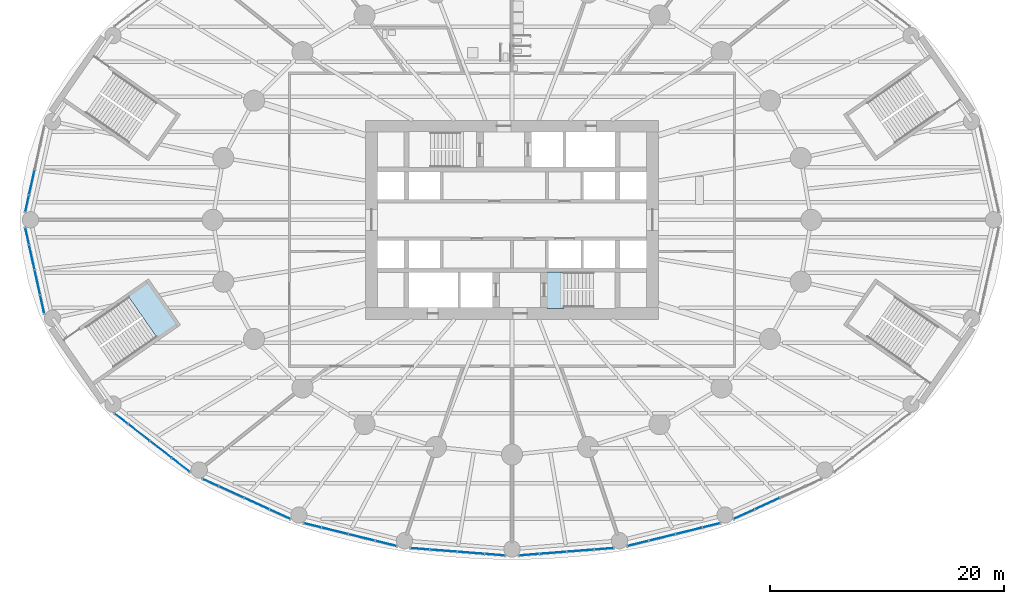
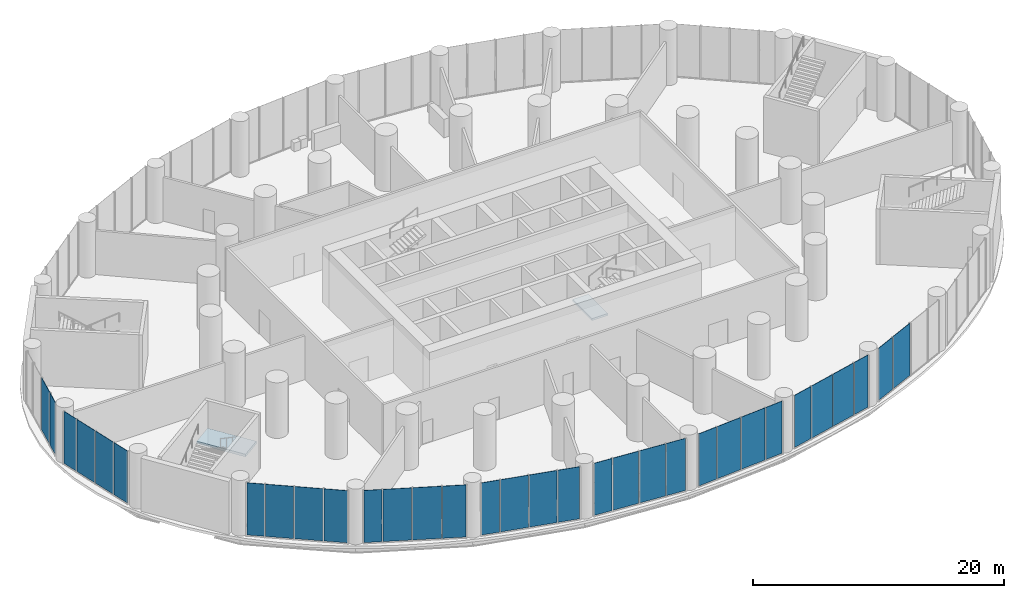
# One storey, part 13 of 23: 32 plates, 2 slabs, 11 elements without a shape of their own.
"""IFC4 building model written with IfcOpenShell, lengths in metres."""

from ifc_helpers import new_model, si_unit, direction, frame, origin, origin_2d, place, context, subcontext, project, spatial, polyline, rectangle, outline, extrude, material, layer, layer_set, type_object, element, aggregate, save


model = new_model("IFC4")

# Units and contexts
model_context = context("Model", 3, precision=1e-05, world=origin(), true_north=direction((0.0, 1.0)))
body_context = subcontext(model_context, "Body", "Model", "MODEL_VIEW")
ifc_project = project(units=[si_unit("LENGTHUNIT", "METRE"), si_unit("AREAUNIT", "SQUARE_METRE"), si_unit("VOLUMEUNIT", "CUBIC_METRE"), si_unit("PLANEANGLEUNIT", "RADIAN"), si_unit("MASSUNIT", "GRAM", prefix="KILO")], contexts=[model_context])

# Site, building, storey
site_placement = place(None, origin())
site = spatial("IfcSite", under=ifc_project, at=site_placement, CompositionType="ELEMENT")
building_placement = place(site_placement, origin())
building = spatial("IfcBuilding", under=site, at=building_placement, Name="Hankou Lantern Tower", CompositionType="ELEMENT")
storey_placement = place(building_placement, frame((0.0, 0.0, 19.199951171875)))
storey = spatial("IfcBuildingStorey", under=building, at=storey_placement, Name="L03", CompositionType="ELEMENT", Elevation=19.199951171875)

# Curtain wall, plates
ifc_material_1 = material(Name="Glass, dark grey tinted laminated", Category="glass")
curtain_wall_type = type_object("IfcCurtainWallType", Name="CWP PODIUM CURTAIN WALL", PredefinedType="USERDEFINED", material=ifc_material_1)
curtain_wall_1_placement = place(storey_placement, origin())
curtain_wall_1 = element("IfcCurtainWall", 1, at=curtain_wall_1_placement, inside=storey, type_object=curtain_wall_type, Name="CWP L03 PC09", ObjectType="PODIUM GLAZING", PredefinedType="USERDEFINED")
ifc_material_2 = material(Name="Glass, dark grey tinted laminated", Category="glass")
ifc_layer_1 = layer(ifc_material_2, 0.037109375)
ifc_layer_set_1 = layer_set([ifc_layer_1], Name="Glass, dark grey tinted laminated")
plate_type = type_object("IfcPlateType", Name="PN2 PODIUM GLASS PANEL", PredefinedType="CURTAIN_PANEL", material=ifc_layer_set_1)
plate_1_placement = place(storey_placement, frame((-40.99267578125, 3.200439453125, 0.080078125), z_axis=(0.0, 0.0, 1.0), x_axis=(-0.215821488116, -0.976432837049, 0.0)))
plate_1 = element("IfcPlate", 2, at=plate_1_placement, type_object=plate_type, Name="CWP glass panel 3", PredefinedType="CURTAIN_PANEL", context=body_context, shape_type="SweptSolid", body=[
    extrude(rectangle(XDim=2.105224609375, YDim=0.031982421875, at=origin_2d()), origin(), (0.0, 0.0, 1.0), 5.070068359375),
])
plate_2_placement = place(storey_placement, frame((-41.391357421875, 1.396484375, 0.080078125), z_axis=(0.0, 0.0, 1.0), x_axis=(-0.215821488116, -0.976432837049, 0.0)))
plate_2 = element("IfcPlate", 3, at=plate_2_placement, type_object=plate_type, Name="CWP glass panel 4", PredefinedType="CURTAIN_PANEL", context=body_context, shape_type="SweptSolid", body=[
    extrude(rectangle(XDim=1.4296875, YDim=0.031982421875, at=origin_2d()), origin(), (0.0, 0.0, 1.0), 5.070068359375),
])
aggregate(curtain_wall_1, [plate_1, plate_2])

curtain_wall_2_placement = place(storey_placement, origin())
curtain_wall_2 = element("IfcCurtainWall", 4, at=curtain_wall_2_placement, inside=storey, type_object=curtain_wall_type, Name="CWP L03 PC10", ObjectType="PODIUM GLAZING", PredefinedType="USERDEFINED")
plate_3_placement = place(storey_placement, frame((-41.391357421875, -1.396484375, 0.080078125), z_axis=(0.0, 0.0, 1.0), x_axis=(0.215821488116, -0.976432837049, 0.0)))
plate_3 = element("IfcPlate", 5, at=plate_3_placement, type_object=plate_type, Name="CWP glass panel 1", PredefinedType="CURTAIN_PANEL", context=body_context, shape_type="SweptSolid", body=[
    extrude(rectangle(XDim=1.4296875, YDim=0.031982421875, at=origin_2d()), origin(), (0.0, 0.0, 1.0), 5.070068359375),
])
plate_4_placement = place(storey_placement, frame((-40.99267578125, -3.200439453125, 0.080078125), z_axis=(0.0, 0.0, 1.0), x_axis=(0.215821488116, -0.976432837049, 0.0)))
plate_4 = element("IfcPlate", 6, at=plate_4_placement, type_object=plate_type, Name="CWP glass panel 2", PredefinedType="CURTAIN_PANEL", context=body_context, shape_type="SweptSolid", body=[
    extrude(rectangle(XDim=2.105224609375, YDim=0.031982421875, at=origin_2d()), origin(), (0.0, 0.0, 1.0), 5.070068359375),
])
plate_5_placement = place(storey_placement, frame((-40.52099609375, -5.333984375, 0.080078125), z_axis=(0.0, 0.0, 1.0), x_axis=(0.215821488116, -0.976432837049, 0.0)))
plate_5 = element("IfcPlate", 7, at=plate_5_placement, type_object=plate_type, Name="CWP glass panel 3", PredefinedType="CURTAIN_PANEL", context=body_context, shape_type="SweptSolid", body=[
    extrude(rectangle(XDim=2.105224609375, YDim=0.031982421875, at=origin_2d()), origin(), (0.0, 0.0, 1.0), 5.070068359375),
])
plate_6_placement = place(storey_placement, frame((-40.105224609375, -7.214599609375, 0.080078125), z_axis=(0.0, 0.0, 1.0), x_axis=(0.215821488116, -0.976432837049, 0.0)))
plate_6 = element("IfcPlate", 8, at=plate_6_placement, type_object=plate_type, Name="CWP glass panel 4", PredefinedType="CURTAIN_PANEL", context=body_context, shape_type="SweptSolid", body=[
    extrude(rectangle(XDim=1.5869140625, YDim=0.031982421875, at=origin_2d()), origin(), (0.0, 0.0, 1.0), 5.070068359375),
])
aggregate(curtain_wall_2, [plate_3, plate_4, plate_5, plate_6])

curtain_wall_3_placement = place(storey_placement, origin())
curtain_wall_3 = element("IfcCurtainWall", 9, at=curtain_wall_3_placement, inside=storey, type_object=curtain_wall_type, Name="CWP L03 PC11", ObjectType="PODIUM GLAZING", PredefinedType="USERDEFINED")
plate_7_placement = place(storey_placement, frame((-33.356689453125, -16.977294921875, 0.080078125), z_axis=(0.0, 0.0, 1.0), x_axis=(0.790129760642, -0.612939606608, 0.0)))
plate_7 = element("IfcPlate", 10, at=plate_7_placement, type_object=plate_type, Name="CWP glass panel 1", PredefinedType="CURTAIN_PANEL", context=body_context, shape_type="SweptSolid", body=[
    extrude(rectangle(XDim=1.409423828125, YDim=0.031982421875, at=origin_2d()), origin(), (0.0, 0.0, 1.0), 5.070068359375),
])
plate_8_placement = place(storey_placement, frame((-31.83935546875, -18.154296875, 0.080078125), z_axis=(0.0, 0.0, 1.0), x_axis=(0.790129760642, -0.612939606608, 0.0)))
plate_8 = element("IfcPlate", 11, at=plate_8_placement, type_object=plate_type, Name="CWP glass panel 2", PredefinedType="CURTAIN_PANEL", context=body_context, shape_type="SweptSolid", body=[
    extrude(rectangle(XDim=2.270751953125, YDim=0.031982421875, at=origin_2d()), origin(), (0.0, 0.0, 1.0), 5.070068359375),
])
plate_9_placement = place(storey_placement, frame((-29.98193359375, -19.59521484375, 0.080078125), z_axis=(0.0, 0.0, 1.0), x_axis=(0.790129760642, -0.612939606608, 0.0)))
plate_9 = element("IfcPlate", 12, at=plate_9_placement, type_object=plate_type, Name="CWP glass panel 3", PredefinedType="CURTAIN_PANEL", context=body_context, shape_type="SweptSolid", body=[
    extrude(rectangle(XDim=2.270751953125, YDim=0.031982421875, at=origin_2d()), origin(), (0.0, 0.0, 1.0), 5.070068359375),
])
plate_10_placement = place(storey_placement, frame((-28.27001953125, -20.923095703125, 0.080078125), z_axis=(0.0, 0.0, 1.0), x_axis=(0.790129760642, -0.612939606608, 0.0)))
plate_10 = element("IfcPlate", 13, at=plate_10_placement, type_object=plate_type, Name="CWP glass panel 4", PredefinedType="CURTAIN_PANEL", context=body_context, shape_type="SweptSolid", body=[
    extrude(rectangle(XDim=1.90234375, YDim=0.031982421875, at=origin_2d()), origin(), (0.0, 0.0, 1.0), 5.070068359375),
])
aggregate(curtain_wall_3, [plate_7, plate_8, plate_9, plate_10])

curtain_wall_4_placement = place(storey_placement, origin())
curtain_wall_4 = element("IfcCurtainWall", 14, at=curtain_wall_4_placement, inside=storey, type_object=curtain_wall_type, Name="CWP L03 PC12", ObjectType="PODIUM GLAZING", PredefinedType="USERDEFINED")
plate_11_placement = place(storey_placement, frame((-25.72802734375, -22.4267578125, 0.080078125), z_axis=(0.0, 0.0, 1.0), x_axis=(0.909669790944, -0.41533224224, 0.0)))
plate_11 = element("IfcPlate", 15, at=plate_11_placement, type_object=plate_type, Name="CWP glass panel 1", PredefinedType="CURTAIN_PANEL", context=body_context, shape_type="SweptSolid", body=[
    extrude(rectangle(XDim=1.445068359375, YDim=0.031982421875, at=origin_2d()), origin(), (0.0, 0.0, 1.0), 5.070068359375),
])
plate_12_placement = place(storey_placement, frame((-23.95361328125, -23.23681640625, 0.080078125), z_axis=(0.0, 0.0, 1.0), x_axis=(0.909669790944, -0.41533224224, 0.0)))
plate_12 = element("IfcPlate", 16, at=plate_12_placement, type_object=plate_type, Name="CWP glass panel 2", PredefinedType="CURTAIN_PANEL", context=body_context, shape_type="SweptSolid", body=[
    extrude(rectangle(XDim=2.2958984375, YDim=0.031982421875, at=origin_2d()), origin(), (0.0, 0.0, 1.0), 5.070068359375),
])
plate_13_placement = place(storey_placement, frame((-21.792236328125, -24.2236328125, 0.080078125), z_axis=(0.0, 0.0, 1.0), x_axis=(0.909669790944, -0.41533224224, 0.0)))
plate_13 = element("IfcPlate", 17, at=plate_13_placement, type_object=plate_type, Name="CWP glass panel 3", PredefinedType="CURTAIN_PANEL", context=body_context, shape_type="SweptSolid", body=[
    extrude(rectangle(XDim=2.2958984375, YDim=0.031982421875, at=origin_2d()), origin(), (0.0, 0.0, 1.0), 5.070068359375),
])
plate_14_placement = place(storey_placement, frame((-19.812744140625, -25.12744140625, 0.080078125), z_axis=(0.0, 0.0, 1.0), x_axis=(0.909669790944, -0.41533224224, 0.0)))
plate_14 = element("IfcPlate", 18, at=plate_14_placement, type_object=plate_type, Name="CWP glass panel 4", PredefinedType="CURTAIN_PANEL", context=body_context, shape_type="SweptSolid", body=[
    extrude(rectangle(XDim=1.896240234375, YDim=0.031982421875, at=origin_2d()), origin(), (0.0, 0.0, 1.0), 5.070068359375),
])
aggregate(curtain_wall_4, [plate_11, plate_12, plate_13, plate_14])

curtain_wall_5_placement = place(storey_placement, origin())
curtain_wall_5 = element("IfcCurtainWall", 19, at=curtain_wall_5_placement, inside=storey, type_object=curtain_wall_type, Name="CWP L03 PC13", ObjectType="PODIUM GLAZING", PredefinedType="USERDEFINED")
plate_15_placement = place(storey_placement, frame((-17.02001953125, -26.080810546875, 0.080078125), z_axis=(0.0, 0.0, 1.0), x_axis=(0.970960955091, -0.239238006364, 0.0)))
plate_15 = element("IfcPlate", 20, at=plate_15_placement, type_object=plate_type, Name="CWP glass panel 1", PredefinedType="CURTAIN_PANEL", context=body_context, shape_type="SweptSolid", body=[
    extrude(rectangle(XDim=1.497314453125, YDim=0.031982421875, at=origin_2d()), origin(), (0.0, 0.0, 1.0), 5.070068359375),
])
plate_16_placement = place(storey_placement, frame((-15.1064453125, -26.552490234375, 0.080078125), z_axis=(0.0, 0.0, 1.0), x_axis=(0.970960955091, -0.239238006364, 0.0)))
plate_16 = element("IfcPlate", 21, at=plate_16_placement, type_object=plate_type, Name="CWP glass panel 2", PredefinedType="CURTAIN_PANEL", context=body_context, shape_type="SweptSolid", body=[
    extrude(rectangle(XDim=2.284423828125, YDim=0.031982421875, at=origin_2d()), origin(), (0.0, 0.0, 1.0), 5.070068359375),
])
plate_17_placement = place(storey_placement, frame((-12.810791015625, -27.1181640625, 0.080078125), z_axis=(0.0, 0.0, 1.0), x_axis=(0.970960955091, -0.239238006364, 0.0)))
plate_17 = element("IfcPlate", 22, at=plate_17_placement, type_object=plate_type, Name="CWP glass panel 3", PredefinedType="CURTAIN_PANEL", context=body_context, shape_type="SweptSolid", body=[
    extrude(rectangle(XDim=2.284423828125, YDim=0.031982421875, at=origin_2d()), origin(), (0.0, 0.0, 1.0), 5.070068359375),
])
plate_18_placement = place(storey_placement, frame((-10.74658203125, -27.626708984375, 0.080078125), z_axis=(0.0, 0.0, 1.0), x_axis=(0.970960955091, -0.239238006364, 0.0)))
plate_18 = element("IfcPlate", 23, at=plate_18_placement, type_object=plate_type, Name="CWP glass panel 4", PredefinedType="CURTAIN_PANEL", context=body_context, shape_type="SweptSolid", body=[
    extrude(rectangle(XDim=1.80712890625, YDim=0.031982421875, at=origin_2d()), origin(), (0.0, 0.0, 1.0), 5.070068359375),
])
aggregate(curtain_wall_5, [plate_15, plate_16, plate_17, plate_18])

curtain_wall_6_placement = place(storey_placement, origin())
curtain_wall_6 = element("IfcCurtainWall", 24, at=curtain_wall_6_placement, inside=storey, type_object=curtain_wall_type, Name="CWP L03 PC14", ObjectType="PODIUM GLAZING", PredefinedType="USERDEFINED")
plate_19_placement = place(storey_placement, frame((-7.85205078125, -28.085205078125, 0.080078125), z_axis=(0.0, 0.0, 1.0), x_axis=(0.996948515213, -0.078061885796, 0.0)))
plate_19 = element("IfcPlate", 25, at=plate_19_placement, type_object=plate_type, Name="CWP glass panel 1", PredefinedType="CURTAIN_PANEL", context=body_context, shape_type="SweptSolid", body=[
    extrude(rectangle(XDim=1.57861328125, YDim=0.031982421875, at=origin_2d()), origin(), (0.0, 0.0, 1.0), 5.070068359375),
])
plate_20_placement = place(storey_placement, frame((-5.8544921875, -28.24169921875, 0.080078125), z_axis=(0.0, 0.0, 1.0), x_axis=(0.996948515213, -0.078061885796, 0.0)))
plate_20 = element("IfcPlate", 26, at=plate_20_placement, type_object=plate_type, Name="CWP glass panel 2", PredefinedType="CURTAIN_PANEL", context=body_context, shape_type="SweptSolid", body=[
    extrude(rectangle(XDim=2.26904296875, YDim=0.031982421875, at=origin_2d()), origin(), (0.0, 0.0, 1.0), 5.070068359375),
])
plate_21_placement = place(storey_placement, frame((-3.5126953125, -28.425048828125, 0.080078125), z_axis=(0.0, 0.0, 1.0), x_axis=(0.996948515213, -0.078061885796, 0.0)))
plate_21 = element("IfcPlate", 27, at=plate_21_placement, type_object=plate_type, Name="CWP glass panel 3", PredefinedType="CURTAIN_PANEL", context=body_context, shape_type="SweptSolid", body=[
    extrude(rectangle(XDim=2.26904296875, YDim=0.031982421875, at=origin_2d()), origin(), (0.0, 0.0, 1.0), 5.070068359375),
])
plate_22_placement = place(storey_placement, frame((-1.460205078125, -28.585693359375, 0.080078125), z_axis=(0.0, 0.0, 1.0), x_axis=(0.996948515213, -0.078061885796, 0.0)))
plate_22 = element("IfcPlate", 28, at=plate_22_placement, type_object=plate_type, Name="CWP glass panel 4", PredefinedType="CURTAIN_PANEL", context=body_context, shape_type="SweptSolid", body=[
    extrude(rectangle(XDim=1.688232421875, YDim=0.031982421875, at=origin_2d()), origin(), (0.0, 0.0, 1.0), 5.070068359375),
])
aggregate(curtain_wall_6, [plate_19, plate_20, plate_21, plate_22])

curtain_wall_7_placement = place(storey_placement, origin())
curtain_wall_7 = element("IfcCurtainWall", 29, at=curtain_wall_7_placement, inside=storey, type_object=curtain_wall_type, Name="CWP L03 PC15", ObjectType="PODIUM GLAZING", PredefinedType="USERDEFINED")
plate_23_placement = place(storey_placement, frame((1.460205078125, -28.585693359375, 0.080078125), z_axis=(0.0, 0.0, 1.0), x_axis=(0.996948515213, 0.078061885796, 0.0)))
plate_23 = element("IfcPlate", 30, at=plate_23_placement, type_object=plate_type, Name="CWP glass panel 1", PredefinedType="CURTAIN_PANEL", context=body_context, shape_type="SweptSolid", body=[
    extrude(rectangle(XDim=1.688232421875, YDim=0.031982421875, at=origin_2d()), origin(), (0.0, 0.0, 1.0), 5.070068359375),
])
plate_24_placement = place(storey_placement, frame((3.5126953125, -28.425048828125, 0.080078125), z_axis=(0.0, 0.0, 1.0), x_axis=(0.996948515213, 0.078061885796, 0.0)))
plate_24 = element("IfcPlate", 31, at=plate_24_placement, type_object=plate_type, Name="CWP glass panel 2", PredefinedType="CURTAIN_PANEL", context=body_context, shape_type="SweptSolid", body=[
    extrude(rectangle(XDim=2.26904296875, YDim=0.031982421875, at=origin_2d()), origin(), (0.0, 0.0, 1.0), 5.070068359375),
])
plate_25_placement = place(storey_placement, frame((5.8544921875, -28.24169921875, 0.080078125), z_axis=(0.0, 0.0, 1.0), x_axis=(0.996948515213, 0.078061885796, 0.0)))
plate_25 = element("IfcPlate", 32, at=plate_25_placement, type_object=plate_type, Name="CWP glass panel 3", PredefinedType="CURTAIN_PANEL", context=body_context, shape_type="SweptSolid", body=[
    extrude(rectangle(XDim=2.26904296875, YDim=0.031982421875, at=origin_2d()), origin(), (0.0, 0.0, 1.0), 5.070068359375),
])
plate_26_placement = place(storey_placement, frame((7.85205078125, -28.085205078125, 0.080078125), z_axis=(0.0, 0.0, 1.0), x_axis=(0.996948515213, 0.078061885796, 0.0)))
plate_26 = element("IfcPlate", 33, at=plate_26_placement, type_object=plate_type, Name="CWP glass panel 4", PredefinedType="CURTAIN_PANEL", context=body_context, shape_type="SweptSolid", body=[
    extrude(rectangle(XDim=1.57861328125, YDim=0.031982421875, at=origin_2d()), origin(), (0.0, 0.0, 1.0), 5.070068359375),
])
aggregate(curtain_wall_7, [plate_23, plate_24, plate_25, plate_26])

curtain_wall_8_placement = place(storey_placement, origin())
curtain_wall_8 = element("IfcCurtainWall", 34, at=curtain_wall_8_placement, inside=storey, type_object=curtain_wall_type, Name="CWP L03 PC16", ObjectType="PODIUM GLAZING", PredefinedType="USERDEFINED")
plate_27_placement = place(storey_placement, frame((10.74658203125, -27.626708984375, 0.080078125), z_axis=(0.0, 0.0, 1.0), x_axis=(0.970960955091, 0.239238006364, 0.0)))
plate_27 = element("IfcPlate", 35, at=plate_27_placement, type_object=plate_type, Name="CWP glass panel 1", PredefinedType="CURTAIN_PANEL", context=body_context, shape_type="SweptSolid", body=[
    extrude(rectangle(XDim=1.80712890625, YDim=0.031982421875, at=origin_2d()), origin(), (0.0, 0.0, 1.0), 5.070068359375),
])
plate_28_placement = place(storey_placement, frame((12.810791015625, -27.1181640625, 0.080078125), z_axis=(0.0, 0.0, 1.0), x_axis=(0.970960955091, 0.239238006364, 0.0)))
plate_28 = element("IfcPlate", 36, at=plate_28_placement, type_object=plate_type, Name="CWP glass panel 2", PredefinedType="CURTAIN_PANEL", context=body_context, shape_type="SweptSolid", body=[
    extrude(rectangle(XDim=2.284423828125, YDim=0.031982421875, at=origin_2d()), origin(), (0.0, 0.0, 1.0), 5.070068359375),
])
plate_29_placement = place(storey_placement, frame((15.1064453125, -26.552490234375, 0.080078125), z_axis=(0.0, 0.0, 1.0), x_axis=(0.970960955091, 0.239238006364, 0.0)))
plate_29 = element("IfcPlate", 37, at=plate_29_placement, type_object=plate_type, Name="CWP glass panel 3", PredefinedType="CURTAIN_PANEL", context=body_context, shape_type="SweptSolid", body=[
    extrude(rectangle(XDim=2.284423828125, YDim=0.031982421875, at=origin_2d()), origin(), (0.0, 0.0, 1.0), 5.070068359375),
])
plate_30_placement = place(storey_placement, frame((17.02001953125, -26.080810546875, 0.080078125), z_axis=(0.0, 0.0, 1.0), x_axis=(0.970960955091, 0.239238006364, 0.0)))
plate_30 = element("IfcPlate", 38, at=plate_30_placement, type_object=plate_type, Name="CWP glass panel 4", PredefinedType="CURTAIN_PANEL", context=body_context, shape_type="SweptSolid", body=[
    extrude(rectangle(XDim=1.497314453125, YDim=0.031982421875, at=origin_2d()), origin(), (0.0, 0.0, 1.0), 5.070068359375),
])
aggregate(curtain_wall_8, [plate_27, plate_28, plate_29, plate_30])

curtain_wall_9_placement = place(storey_placement, origin())
curtain_wall_9 = element("IfcCurtainWall", 39, at=curtain_wall_9_placement, inside=storey, type_object=curtain_wall_type, Name="CWP L03 PC17", ObjectType="PODIUM GLAZING", PredefinedType="USERDEFINED")
plate_31_placement = place(storey_placement, frame((19.812744140625, -25.12744140625, 0.080078125), z_axis=(0.0, 0.0, 1.0), x_axis=(0.909669790944, 0.41533224224, 0.0)))
plate_31 = element("IfcPlate", 40, at=plate_31_placement, type_object=plate_type, Name="CWP glass panel 1", PredefinedType="CURTAIN_PANEL", context=body_context, shape_type="SweptSolid", body=[
    extrude(rectangle(XDim=1.896240234375, YDim=0.031982421875, at=origin_2d()), origin(), (0.0, 0.0, 1.0), 5.070068359375),
])
plate_32_placement = place(storey_placement, frame((21.792236328125, -24.2236328125, 0.080078125), z_axis=(0.0, 0.0, 1.0), x_axis=(0.909669790944, 0.41533224224, 0.0)))
plate_32 = element("IfcPlate", 41, at=plate_32_placement, type_object=plate_type, Name="CWP glass panel 2", PredefinedType="CURTAIN_PANEL", context=body_context, shape_type="SweptSolid", body=[
    extrude(rectangle(XDim=2.2958984375, YDim=0.031982421875, at=origin_2d()), origin(), (0.0, 0.0, 1.0), 5.070068359375),
])
aggregate(curtain_wall_9, [plate_31, plate_32])

# Stair, slab
ifc_material_3 = material(Name="Concrete C40", Category="concrete")
stair_type_1 = type_object("IfcStairType", Name="ST54 CORE STAIR 5400 RISE", PredefinedType="HALF_TURN_STAIR", material=ifc_material_3)
stair_1_placement = place(storey_placement, origin())
stair_1 = element("IfcStair", 42, at=stair_1_placement, inside=storey, type_object=stair_type_1, Name="Stair STB L03", PredefinedType="HALF_TURN_STAIR")
ifc_material_4 = material(Name="Concrete C40", Category="concrete")
ifc_layer_2 = layer(ifc_material_4, 0.199951171875)
ifc_layer_set_2 = layer_set([ifc_layer_2], Name="Concrete C40")
slab_type_1 = type_object("IfcSlabType", Name="SL1 STAIR LANDING 200", PredefinedType="LANDING", material=ifc_layer_set_2)
slab_1_placement = place(storey_placement, frame((0.0, 0.0, 2.5)))
slab_1 = element("IfcSlab", 43, at=slab_1_placement, type_object=slab_type_1, Name="STB landing 2", PredefinedType="LANDING", context=body_context, shape_type="SweptSolid", body=[
    extrude(outline(polyline([(4.449951171875, -4.449951171875), (3.0, -4.449951171875), (3.0, -7.550048828125), (4.449951171875, -7.550048828125), (4.449951171875, -4.449951171875)])), origin(), (0.0, 0.0, 1.0), 0.199951171875),
])
aggregate(stair_1, [slab_1])

ifc_material_5 = material(Name="Concrete C40", Category="concrete")
stair_type_2 = type_object("IfcStairType", Name="PS54 PODIUM STAIR 5400 RISE", PredefinedType="HALF_TURN_STAIR", material=ifc_material_5)
stair_2_placement = place(storey_placement, origin())
stair_2 = element("IfcStair", 44, at=stair_2_placement, inside=storey, type_object=stair_type_2, Name="Stair P3 L03", PredefinedType="HALF_TURN_STAIR")
ifc_material_6 = material(Name="Concrete C40", Category="concrete")
ifc_layer_3 = layer(ifc_material_6, 0.25)
ifc_layer_set_3 = layer_set([ifc_layer_3], Name="Concrete C40")
slab_type_2 = type_object("IfcSlabType", Name="SL2 PODIUM STAIR LANDING 250", PredefinedType="LANDING", material=ifc_layer_set_3)
slab_2_placement = place(storey_placement, frame((0.0, 0.0, 2.449951171875)))
slab_2 = element("IfcSlab", 45, at=slab_2_placement, type_object=slab_type_2, Name="P3 landing 1", PredefinedType="LANDING", context=body_context, shape_type="SweptSolid", body=[
    extrude(outline(polyline([(-32.75, -6.53564453125), (-30.294677734375, -10.065673828125), (-28.636474609375, -8.912109375), (-31.091796875, -5.382080078125), (-32.75, -6.53564453125)])), origin(), (0.0, 0.0, 1.0), 0.25),
])
aggregate(stair_2, [slab_2])

save(model, "model.ifc")
